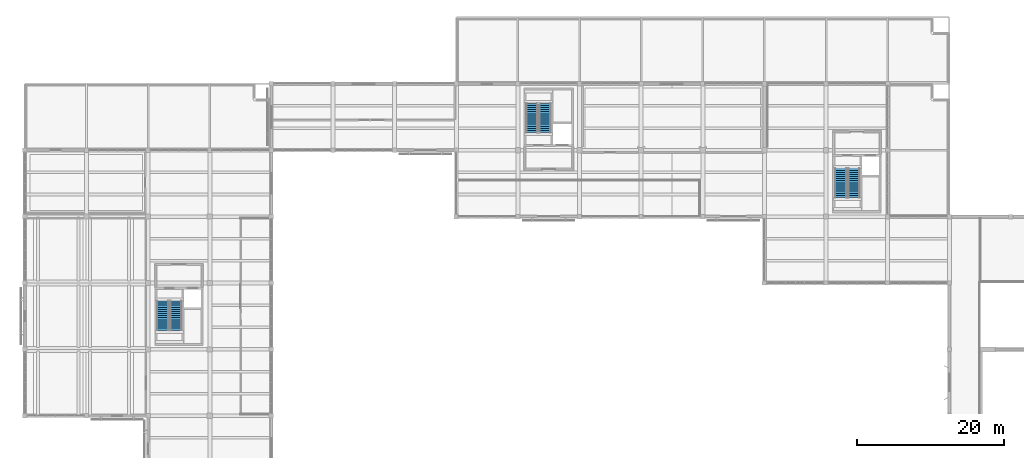
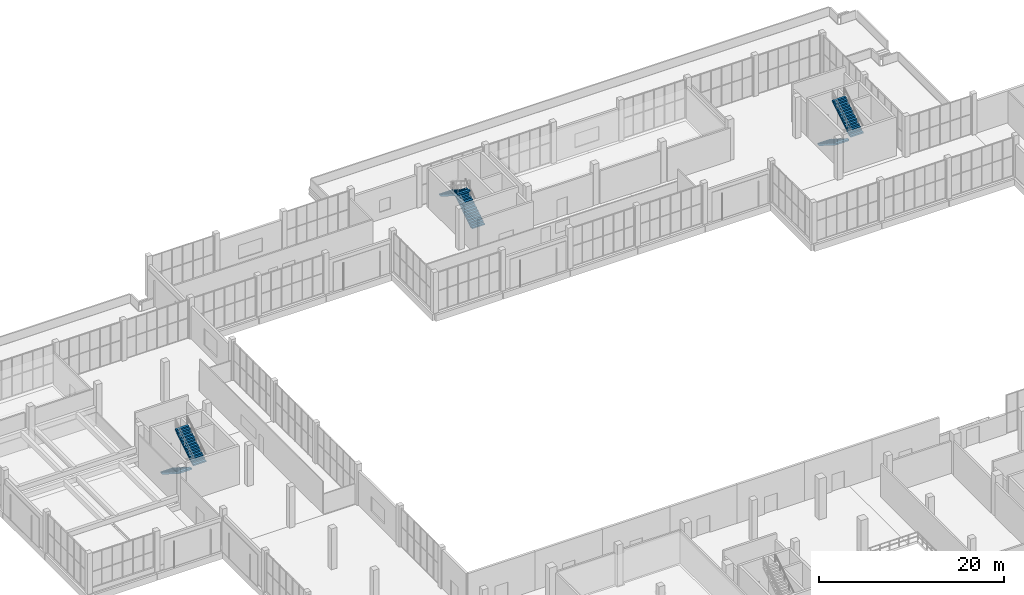
# One storey, part 119 of 132: 6 stair flights, 3 elements without a shape of their own.
"""IFC4 building model written with IfcOpenShell, lengths in metres."""

import ifcopenshell
import ifcopenshell.guid

model = None  # the IFC model being written
_history = None  # IfcOwnerHistory: only IFC2X3 demands one
_inside = {}  # id of a spatial element -> (the spatial element, [elements in it])
_under = {}  # id of a project, library or spatial element -> (it, [spatial elements below it])
_declared = {}  # id of a project -> (the project, [libraries it declares])
_typed = {}  # id of a type object -> (the type object, [elements of that type])
_made_of = {}  # id of a material, layer set ... -> (it, [elements and type objects made of it])


def new_model(schema):
    """Start an empty IFC model of exactly this schema.

    Asked for "IFC4X3", IfcOpenShell would pick the latest addendum, in which some entities
    have other attributes; the version numbers below select the first issue.
    IFC2X3 requires an IfcOwnerHistory on every rooted entity: one is made here for all.
    """
    global model, _history
    if schema == "IFC4X3":
        model = ifcopenshell.file(schema_version=(4, 3, 0, 0))
    else:
        model = ifcopenshell.file(schema=schema)
    _inside.clear()
    _under.clear()
    _declared.clear()
    _typed.clear()
    _made_of.clear()
    _history = None
    if model.schema == "IFC2X3":
        org = make("IfcOrganization", Name="unknown")
        user = make(
            "IfcPersonAndOrganization",
            ThePerson=make("IfcPerson", FamilyName="unknown"),
            TheOrganization=org,
        )
        app = make(
            "IfcApplication",
            ApplicationDeveloper=org,
            Version="unknown",
            ApplicationFullName="unknown",
            ApplicationIdentifier="unknown",
        )
        _history = make(
            "IfcOwnerHistory",
            OwningUser=user,
            OwningApplication=app,
            ChangeAction="ADDED",
            CreationDate=0,
        )
    return model


def make(cls, **values):
    """One entity of the class cls with the attributes given. An attribute that is None is left unset."""
    return model.create_entity(
        cls, **{name: value for name, value in values.items() if value is not None}
    )


def rooted(cls, **values):
    """An entity with a GlobalId (a new one), such as an element, a storey or a relation."""
    return make(cls, GlobalId=ifcopenshell.guid.new(), OwnerHistory=_history, **values)


def si_unit(unit_type, name, prefix=None):
    """IfcSIUnit, for example si_unit("LENGTHUNIT", "METRE", prefix="MILLI")."""
    return make("IfcSIUnit", UnitType=unit_type, Prefix=prefix, Name=name)


def assignment(units):
    """IfcUnitAssignment: the units of a project."""
    return None if units is None else make("IfcUnitAssignment", Units=units)


def point(xyz):
    """IfcCartesianPoint."""
    return None if xyz is None else make("IfcCartesianPoint", Coordinates=xyz)


def direction(xyz):
    """IfcDirection."""
    return None if xyz is None else make("IfcDirection", DirectionRatios=xyz)


def frame(location, z_axis=None, x_axis=None):
    """IfcAxis2Placement3D, a coordinate frame: its origin and axes. An axis left out is left unset."""
    return make(
        "IfcAxis2Placement3D",
        Location=point(location),
        Axis=direction(z_axis),
        RefDirection=direction(x_axis),
    )


def origin():
    """The frame at (0, 0, 0) with its axes left unset."""
    return frame((0.0, 0.0, 0.0))


def place(relative_to, where):
    """IfcLocalPlacement: puts the frame where relative to a parent placement (None: the world)."""
    return make(
        "IfcLocalPlacement", PlacementRelTo=relative_to, RelativePlacement=where
    )


def context(
    kind, dimensions, precision=None, world=None, true_north=None, identifier=None
):
    """IfcGeometricRepresentationContext, for example the 3D "Model" context."""
    return make(
        "IfcGeometricRepresentationContext",
        ContextIdentifier=identifier,
        ContextType=kind,
        CoordinateSpaceDimension=dimensions,
        Precision=precision,
        WorldCoordinateSystem=world,
        TrueNorth=true_north,
    )


def subcontext(parent, identifier, kind, view, scale=None):
    """IfcGeometricRepresentationSubContext, for example "Body" below "Model"."""
    return make(
        "IfcGeometricRepresentationSubContext",
        ContextIdentifier=identifier,
        ContextType=kind,
        ParentContext=parent,
        TargetScale=scale,
        TargetView=view,
    )


def project(units=None, contexts=None):
    """IfcProject with its units and contexts."""
    return rooted(
        "IfcProject",
        Name="project",
        RepresentationContexts=contexts,
        UnitsInContext=assignment(units),
    )


def spatial(cls, under=None, at=None, **own):
    """A site, building, storey or space (cls), placed at a placement, below another one or the project."""
    s = rooted(cls, ObjectPlacement=at, **own)
    if under is not None:
        _under.setdefault(under.id(), (under, []))[1].append(s)
    return s


def polyline(points):
    """IfcPolyline through the points."""
    return make("IfcPolyline", Points=[point(p) for p in points])


def outline(outer, holes=None, kind="AREA"):
    """IfcArbitraryClosedProfileDef: a profile drawn as a closed curve; with holes, ...WithVoids."""
    if holes is None:
        return make("IfcArbitraryClosedProfileDef", ProfileType=kind, OuterCurve=outer)
    return make(
        "IfcArbitraryProfileDefWithVoids",
        ProfileType=kind,
        OuterCurve=outer,
        InnerCurves=holes,
    )


def extrude(swept, where, along, depth):
    """IfcExtrudedAreaSolid: the profile swept, set in the frame where, extruded along a direction by depth."""
    return make(
        "IfcExtrudedAreaSolid",
        SweptArea=swept,
        Position=where,
        ExtrudedDirection=direction(along),
        Depth=depth,
    )


def shape(context_of_items, identifier, shape_type, items):
    """IfcShapeRepresentation: the items that make up one representation, for example the "Body"."""
    return make(
        "IfcShapeRepresentation",
        ContextOfItems=context_of_items,
        RepresentationIdentifier=identifier,
        RepresentationType=shape_type,
        Items=items,
    )


def material(Name=None, Category=None):
    """IfcMaterial."""
    return make("IfcMaterial", Name=Name, Category=Category)


def made_of(thing, what):
    """Note that an element or type object is made of a material, layer set ...; save() writes the relation."""
    if what is not None:
        _made_of.setdefault(what.id(), (what, []))[1].append(thing)
    return thing


def type_object(cls, material=None, **own):
    """A type object (cls), such as IfcWallType, which elements share."""
    return made_of(rooted(cls, **own), material)


def element(
    cls,
    number,
    at=None,
    inside=None,
    cuts=None,
    type_object=None,
    material=None,
    context=None,
    identifier="Body",
    shape_type=None,
    held_by="IfcProductDefinitionShape",
    body=None,
    shapes=None,
    **own,
):
    """One element of the class cls, such as IfcWall. Its Tag is "e" and its number.

    at: its placement. inside: the storey or other place that contains it. cuts: it is an
    opening in that element (IfcRelVoidsElement). A single representation is given by context,
    identifier, shape_type and body (its items); several are given by shapes. held_by: the class
    of the entity that holds the representations. save() writes the other relations.
    """
    e = rooted(cls, Tag="e%d" % number, ObjectPlacement=at, **own)
    if body is not None:
        shapes = [shape(context, identifier, shape_type, body)]
    if shapes is not None:
        e.Representation = make(held_by, Representations=shapes)
    if inside is not None:
        _inside.setdefault(inside.id(), (inside, []))[1].append(e)
    if cuts is not None:
        rooted(
            "IfcRelVoidsElement", RelatingBuildingElement=cuts, RelatedOpeningElement=e
        )
    if type_object is not None:
        _typed.setdefault(type_object.id(), (type_object, []))[1].append(e)
    return made_of(e, material)


def aggregate(whole, parts):
    """IfcRelAggregates: a whole, such as a stair, and the parts it consists of."""
    return rooted("IfcRelAggregates", RelatingObject=whole, RelatedObjects=parts)


def save(model, path):
    """Write the relations noted so far, then the file.

    IfcRelAggregates (storeys below a building ...), IfcRelContainedInSpatialStructure (elements
    in a storey), IfcRelDefinesByType, IfcRelAssociatesMaterial and IfcRelDeclares: one each for
    every whole, place, type object, material and project.
    """
    for whole, parts in _under.values():
        aggregate(whole, parts)
    for where, things in _inside.values():
        rooted(
            "IfcRelContainedInSpatialStructure",
            RelatedElements=things,
            RelatingStructure=where,
        )
    for kind, things in _typed.values():
        rooted("IfcRelDefinesByType", RelatedObjects=things, RelatingType=kind)
    for what, things in _made_of.values():
        rooted("IfcRelAssociatesMaterial", RelatedObjects=things, RelatingMaterial=what)
    for by, libraries in _declared.values():
        rooted("IfcRelDeclares", RelatingContext=by, RelatedDefinitions=libraries)
    model.write(path)


model = new_model("IFC4")

# Units and contexts
model_context = context("Model", 3, precision=1e-05, world=origin(), true_north=direction((0.0, 1.0)))
body_context = subcontext(model_context, "Body", "Model", "MODEL_VIEW")
ifc_project = project(units=[si_unit("LENGTHUNIT", "METRE"), si_unit("AREAUNIT", "SQUARE_METRE"), si_unit("VOLUMEUNIT", "CUBIC_METRE"), si_unit("PLANEANGLEUNIT", "RADIAN"), si_unit("MASSUNIT", "GRAM", prefix="KILO")], contexts=[model_context])

# Site, building, storey
site_placement = place(None, origin())
site = spatial("IfcSite", under=ifc_project, at=site_placement, CompositionType="ELEMENT")
building_placement = place(site_placement, origin())
building = spatial("IfcBuilding", under=site, at=building_placement, Name="Khurvash Pelagic Aquarium", CompositionType="ELEMENT")
storey_placement = place(building_placement, frame((0.0, 0.0, 5.39990234375)))
storey = spatial("IfcBuildingStorey", under=building, at=storey_placement, Name="L01", CompositionType="ELEMENT", Elevation=5.39990234375)

# Stair, stair flights
ifc_material = material(Name="Concrete C35/45", Category="concrete")
stair_type_1 = type_object("IfcStairType", Name="ST-04", PredefinedType="HALF_TURN_STAIR", material=ifc_material)
stair_1_placement = place(storey_placement, origin())
stair_1 = element("IfcStair", 1, at=stair_1_placement, inside=storey, type_object=stair_type_1, Name="L01 Protected Exit Stair ST-04", PredefinedType="HALF_TURN_STAIR")
stair_flight_type = type_object("IfcStairFlightType", Name="SF-150", PredefinedType="STRAIGHT", material=ifc_material)
stair_flight_1_placement = place(storey_placement, frame((70.89990234375, 95.5, 0.0), z_axis=(0.0, 0.0, 1.0), x_axis=(0.0, 1.0, 0.0)))
stair_flight_1 = element("IfcStairFlight", 2, at=stair_flight_1_placement, type_object=stair_flight_type, Name="ST-04 flight 1", NumberOfRisers=15, NumberOfTreads=14, PredefinedType="STRAIGHT", RiserHeight=0.18, TreadLength=0.285, context=body_context, shape_type="SweptSolid", body=[
    extrude(outline(polyline([(0.0, 0.0), (0.0, 0.179931640625), (0.284912109375, 0.179931640625), (0.284912109375, 0.360107421875), (0.570068359375, 0.360107421875), (0.570068359375, 0.5400390625), (0.85498046875, 0.5400390625), (0.85498046875, 0.719970703125), (1.139892578125, 0.719970703125), (1.139892578125, 0.89990234375), (1.425048828125, 0.89990234375), (1.425048828125, 1.080078125), (1.7099609375, 1.080078125), (1.7099609375, 1.260009765625), (1.9951171875, 1.260009765625), (1.9951171875, 1.43994140625), (2.280029296875, 1.43994140625), (2.280029296875, 1.6201171875), (2.56494140625, 1.6201171875), (2.56494140625, 1.800048828125), (2.85009765625, 1.800048828125), (2.85009765625, 1.97998046875), (3.135009765625, 1.97998046875), (3.135009765625, 2.159912109375), (3.419921875, 2.159912109375), (3.419921875, 2.340087890625), (3.705078125, 2.340087890625), (3.705078125, 2.52001953125), (3.989990234375, 2.52001953125), (3.989990234375, 2.699951171875), (3.989990234375, 2.30712890625), (0.3369140625, 0.0), (0.0, 0.0)])), frame((0.0, 0.800048828125, 0.0), z_axis=(0.0, -1.0, 0.0), x_axis=(1.0, 0.0, 0.0)), (0.0, 0.0, 1.0), 1.60009765625),
])
stair_flight_2_placement = place(storey_placement, frame((69.10009765625, 99.489990234375, 2.7001953125), z_axis=(0.0, 0.0, 1.0), x_axis=(0.0, -1.0, 0.0)))
stair_flight_2 = element("IfcStairFlight", 3, at=stair_flight_2_placement, type_object=stair_flight_type, Name="ST-04 flight 2", NumberOfRisers=15, NumberOfTreads=14, PredefinedType="STRAIGHT", RiserHeight=0.18, TreadLength=0.285, context=body_context, shape_type="SweptSolid", body=[
    extrude(outline(polyline([(0.0, 0.0), (0.0, 0.179931640625), (0.284912109375, 0.179931640625), (0.284912109375, 0.360107421875), (0.570068359375, 0.360107421875), (0.570068359375, 0.5400390625), (0.85498046875, 0.5400390625), (0.85498046875, 0.719970703125), (1.139892578125, 0.719970703125), (1.139892578125, 0.89990234375), (1.425048828125, 0.89990234375), (1.425048828125, 1.080078125), (1.7099609375, 1.080078125), (1.7099609375, 1.260009765625), (1.9951171875, 1.260009765625), (1.9951171875, 1.43994140625), (2.280029296875, 1.43994140625), (2.280029296875, 1.6201171875), (2.56494140625, 1.6201171875), (2.56494140625, 1.800048828125), (2.85009765625, 1.800048828125), (2.85009765625, 1.97998046875), (3.135009765625, 1.97998046875), (3.135009765625, 2.159912109375), (3.419921875, 2.159912109375), (3.419921875, 2.340087890625), (3.705078125, 2.340087890625), (3.705078125, 2.52001953125), (3.989990234375, 2.52001953125), (3.989990234375, 2.699951171875), (3.989990234375, 2.30712890625), (0.3369140625, 0.0), (0.0, 0.0)])), frame((0.0, 0.800048828125, 0.0), z_axis=(0.0, -1.0, 0.0), x_axis=(1.0, 0.0, 0.0)), (0.0, 0.0, 1.0), 1.60009765625),
])
aggregate(stair_1, [stair_flight_1, stair_flight_2])

stair_type_2 = type_object("IfcStairType", Name="ST-05", PredefinedType="HALF_TURN_STAIR", material=ifc_material)
stair_2_placement = place(storey_placement, origin())
stair_2 = element("IfcStair", 4, at=stair_2_placement, inside=storey, type_object=stair_type_2, Name="L01 Protected Exit Stair ST-05", PredefinedType="HALF_TURN_STAIR")
stair_flight_3_placement = place(storey_placement, frame((18.800048828125, 72.550048828125, 0.0), z_axis=(0.0, 0.0, 1.0), x_axis=(0.0, -1.0, 0.0)))
stair_flight_3 = element("IfcStairFlight", 5, at=stair_flight_3_placement, type_object=stair_flight_type, Name="ST-05 flight 1", NumberOfRisers=15, NumberOfTreads=14, PredefinedType="STRAIGHT", RiserHeight=0.18, TreadLength=0.285, context=body_context, shape_type="SweptSolid", body=[
    extrude(outline(polyline([(0.0, 0.0), (0.0, 0.179931640625), (0.284912109375, 0.179931640625), (0.284912109375, 0.360107421875), (0.570068359375, 0.360107421875), (0.570068359375, 0.5400390625), (0.85498046875, 0.5400390625), (0.85498046875, 0.719970703125), (1.139892578125, 0.719970703125), (1.139892578125, 0.89990234375), (1.425048828125, 0.89990234375), (1.425048828125, 1.080078125), (1.7099609375, 1.080078125), (1.7099609375, 1.260009765625), (1.9951171875, 1.260009765625), (1.9951171875, 1.43994140625), (2.280029296875, 1.43994140625), (2.280029296875, 1.6201171875), (2.56494140625, 1.6201171875), (2.56494140625, 1.800048828125), (2.85009765625, 1.800048828125), (2.85009765625, 1.97998046875), (3.135009765625, 1.97998046875), (3.135009765625, 2.159912109375), (3.419921875, 2.159912109375), (3.419921875, 2.340087890625), (3.705078125, 2.340087890625), (3.705078125, 2.52001953125), (3.989990234375, 2.52001953125), (3.989990234375, 2.699951171875), (3.989990234375, 2.30712890625), (0.3369140625, 0.0), (0.0, 0.0)])), frame((0.0, 0.800048828125, 0.0), z_axis=(0.0, -1.0, 0.0), x_axis=(1.0, 0.0, 0.0)), (0.0, 0.0, 1.0), 1.60009765625),
])
stair_flight_4_placement = place(storey_placement, frame((20.60009765625, 68.56005859375, 2.7001953125), z_axis=(0.0, 0.0, 1.0), x_axis=(0.0, 1.0, 0.0)))
stair_flight_4 = element("IfcStairFlight", 6, at=stair_flight_4_placement, type_object=stair_flight_type, Name="ST-05 flight 2", NumberOfRisers=15, NumberOfTreads=14, PredefinedType="STRAIGHT", RiserHeight=0.18, TreadLength=0.285, context=body_context, shape_type="SweptSolid", body=[
    extrude(outline(polyline([(0.0, 0.0), (0.0, 0.179931640625), (0.284912109375, 0.179931640625), (0.284912109375, 0.360107421875), (0.570068359375, 0.360107421875), (0.570068359375, 0.5400390625), (0.85498046875, 0.5400390625), (0.85498046875, 0.719970703125), (1.139892578125, 0.719970703125), (1.139892578125, 0.89990234375), (1.425048828125, 0.89990234375), (1.425048828125, 1.080078125), (1.7099609375, 1.080078125), (1.7099609375, 1.260009765625), (1.9951171875, 1.260009765625), (1.9951171875, 1.43994140625), (2.280029296875, 1.43994140625), (2.280029296875, 1.6201171875), (2.56494140625, 1.6201171875), (2.56494140625, 1.800048828125), (2.85009765625, 1.800048828125), (2.85009765625, 1.97998046875), (3.135009765625, 1.97998046875), (3.135009765625, 2.159912109375), (3.419921875, 2.159912109375), (3.419921875, 2.340087890625), (3.705078125, 2.340087890625), (3.705078125, 2.52001953125), (3.989990234375, 2.52001953125), (3.989990234375, 2.699951171875), (3.989990234375, 2.30712890625), (0.3369140625, 0.0), (0.0, 0.0)])), frame((0.0, 0.800048828125, 0.0), z_axis=(0.0, -1.0, 0.0), x_axis=(1.0, 0.0, 0.0)), (0.0, 0.0, 1.0), 1.60009765625),
])
aggregate(stair_2, [stair_flight_3, stair_flight_4])

stair_type_3 = type_object("IfcStairType", Name="ST-06", PredefinedType="HALF_TURN_STAIR", material=ifc_material)
stair_3_placement = place(storey_placement, origin())
stair_3 = element("IfcStair", 7, at=stair_3_placement, inside=storey, type_object=stair_type_3, Name="L01 Protected Exit Stair ST-06", PredefinedType="HALF_TURN_STAIR")
stair_flight_5_placement = place(storey_placement, frame((111.199951171875, 90.64990234375, 0.0), z_axis=(0.0, 0.0, 1.0), x_axis=(0.0, -1.0, 0.0)))
stair_flight_5 = element("IfcStairFlight", 8, at=stair_flight_5_placement, type_object=stair_flight_type, Name="ST-06 flight 1", NumberOfRisers=15, NumberOfTreads=14, PredefinedType="STRAIGHT", RiserHeight=0.18, TreadLength=0.285, context=body_context, shape_type="SweptSolid", body=[
    extrude(outline(polyline([(0.0, 0.0), (0.0, 0.179931640625), (0.284912109375, 0.179931640625), (0.284912109375, 0.360107421875), (0.570068359375, 0.360107421875), (0.570068359375, 0.5400390625), (0.85498046875, 0.5400390625), (0.85498046875, 0.719970703125), (1.139892578125, 0.719970703125), (1.139892578125, 0.89990234375), (1.425048828125, 0.89990234375), (1.425048828125, 1.080078125), (1.7099609375, 1.080078125), (1.7099609375, 1.260009765625), (1.9951171875, 1.260009765625), (1.9951171875, 1.43994140625), (2.280029296875, 1.43994140625), (2.280029296875, 1.6201171875), (2.56494140625, 1.6201171875), (2.56494140625, 1.800048828125), (2.85009765625, 1.800048828125), (2.85009765625, 1.97998046875), (3.135009765625, 1.97998046875), (3.135009765625, 2.159912109375), (3.419921875, 2.159912109375), (3.419921875, 2.340087890625), (3.705078125, 2.340087890625), (3.705078125, 2.52001953125), (3.989990234375, 2.52001953125), (3.989990234375, 2.699951171875), (3.989990234375, 2.30712890625), (0.3369140625, 0.0), (0.0, 0.0)])), frame((0.0, 0.800048828125, 0.0), z_axis=(0.0, -1.0, 0.0), x_axis=(1.0, 0.0, 0.0)), (0.0, 0.0, 1.0), 1.60009765625),
])
stair_flight_6_placement = place(storey_placement, frame((113.0, 86.659912109375, 2.7001953125), z_axis=(0.0, 0.0, 1.0), x_axis=(0.0, 1.0, 0.0)))
stair_flight_6 = element("IfcStairFlight", 9, at=stair_flight_6_placement, type_object=stair_flight_type, Name="ST-06 flight 2", NumberOfRisers=15, NumberOfTreads=14, PredefinedType="STRAIGHT", RiserHeight=0.18, TreadLength=0.285, context=body_context, shape_type="SweptSolid", body=[
    extrude(outline(polyline([(0.0, 0.0), (0.0, 0.179931640625), (0.284912109375, 0.179931640625), (0.284912109375, 0.360107421875), (0.570068359375, 0.360107421875), (0.570068359375, 0.5400390625), (0.85498046875, 0.5400390625), (0.85498046875, 0.719970703125), (1.139892578125, 0.719970703125), (1.139892578125, 0.89990234375), (1.425048828125, 0.89990234375), (1.425048828125, 1.080078125), (1.7099609375, 1.080078125), (1.7099609375, 1.260009765625), (1.9951171875, 1.260009765625), (1.9951171875, 1.43994140625), (2.280029296875, 1.43994140625), (2.280029296875, 1.6201171875), (2.56494140625, 1.6201171875), (2.56494140625, 1.800048828125), (2.85009765625, 1.800048828125), (2.85009765625, 1.97998046875), (3.135009765625, 1.97998046875), (3.135009765625, 2.159912109375), (3.419921875, 2.159912109375), (3.419921875, 2.340087890625), (3.705078125, 2.340087890625), (3.705078125, 2.52001953125), (3.989990234375, 2.52001953125), (3.989990234375, 2.699951171875), (3.989990234375, 2.30712890625), (0.3369140625, 0.0), (0.0, 0.0)])), frame((0.0, 0.800048828125, 0.0), z_axis=(0.0, -1.0, 0.0), x_axis=(1.0, 0.0, 0.0)), (0.0, 0.0, 1.0), 1.60009765625),
])
aggregate(stair_3, [stair_flight_5, stair_flight_6])

save(model, "model.ifc")
